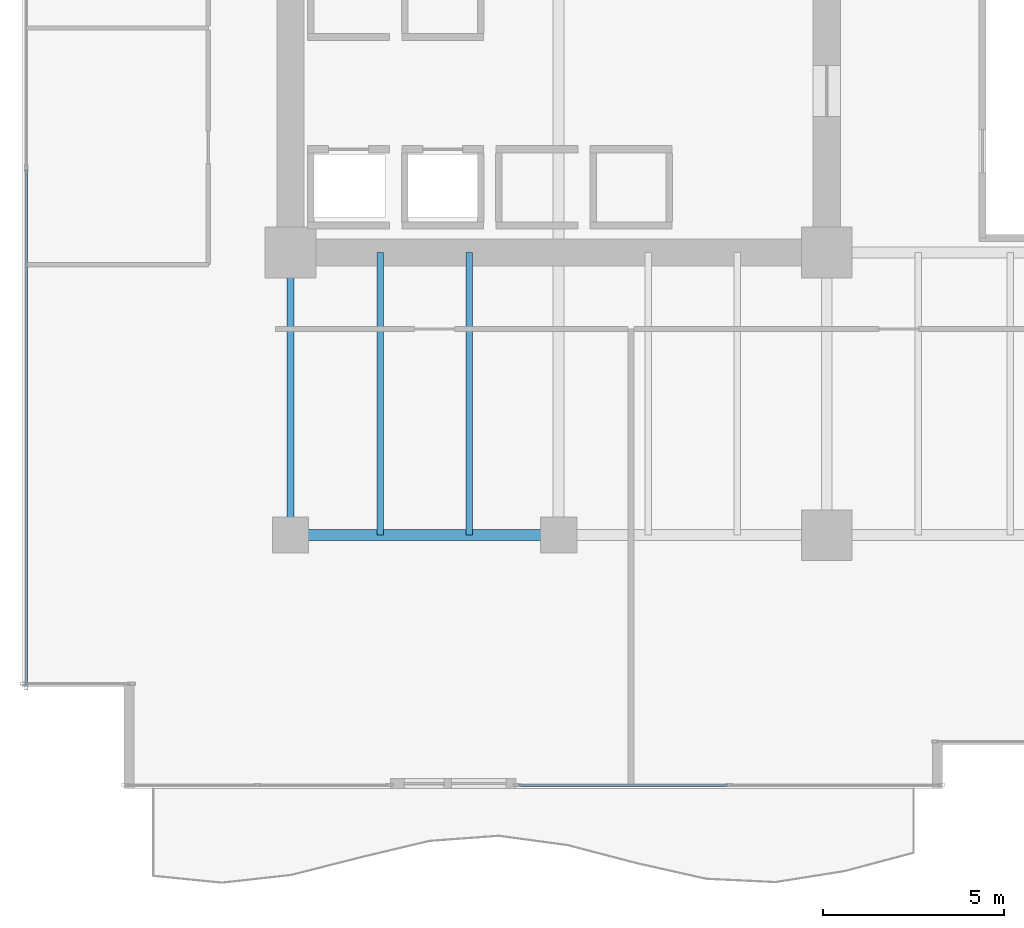
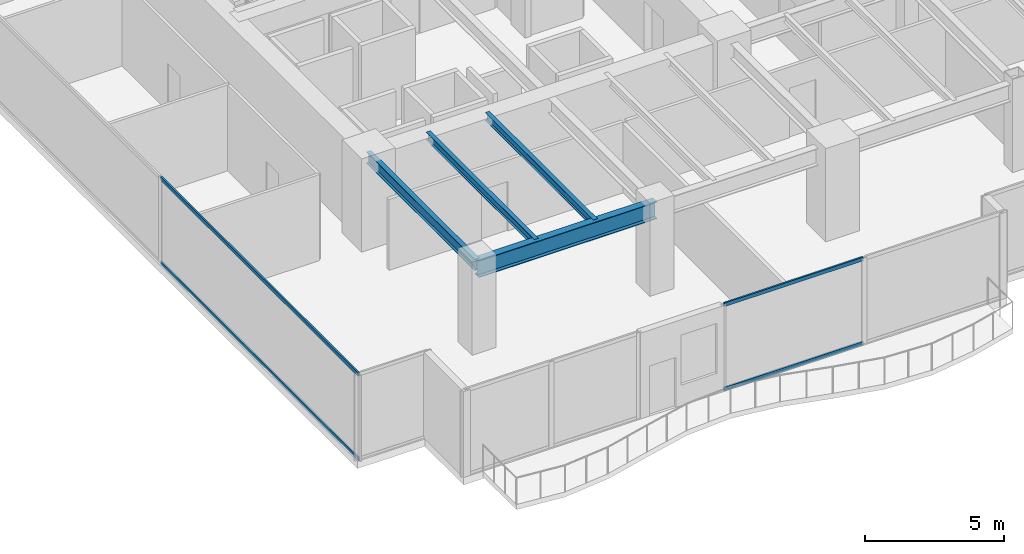
# One storey, part 3 of 31: 4 beams, 4 members, 2 elements without a shape of their own.
"""IFC4 building model written with IfcOpenShell, lengths in metres."""

from ifc_helpers import new_model, si_unit, direction, frame, origin, origin_2d, place, context, subcontext, project, spatial, hollow_rectangle, i_section, extrude, source, transform, mapped, material, layer, layer_set, material_profile, profile_set, type_object, type_shapes, element, aggregate, save


model = new_model("IFC4")

# Units and contexts
model_context = context("Model", 3, precision=1e-05, world=origin(), true_north=direction((0.0, 1.0)))
body_context = subcontext(model_context, "Body", "Model", "MODEL_VIEW")
ifc_project = project(units=[si_unit("LENGTHUNIT", "METRE"), si_unit("AREAUNIT", "SQUARE_METRE"), si_unit("VOLUMEUNIT", "CUBIC_METRE"), si_unit("PLANEANGLEUNIT", "RADIAN"), si_unit("MASSUNIT", "GRAM", prefix="KILO")], contexts=[model_context])

# Site, building, storey
site_placement = place(None, origin())
site = spatial("IfcSite", under=ifc_project, at=site_placement, CompositionType="ELEMENT")
building_placement = place(site_placement, origin())
building = spatial("IfcBuilding", under=site, at=building_placement, Name="Haelvirn Gate Laboratories", CompositionType="ELEMENT")
storey_placement = place(building_placement, frame((0.0, 0.0, 62.10009765625)))
storey = spatial("IfcBuildingStorey", under=building, at=storey_placement, Name="L15", CompositionType="ELEMENT", Elevation=62.10009765625)

# Beams
ifc_material_1 = material(Name="Steel SM355", Category="steel")
ifc_material_profile_1 = material_profile(ifc_material_1, i_section(OverallWidth=0.300048828125, OverallDepth=0.75, WebThickness=0.013916015625, FlangeThickness=0.02392578125, at=origin_2d()), Name="H-750x300x14x24")
ifc_profile_set_1 = profile_set([ifc_material_profile_1], Name="Steel SM355")
beam_type_1 = type_object("IfcBeamType", Name="BM-G-750", PredefinedType="BEAM", material=ifc_profile_set_1)
shared_shape_1 = source(origin(), body_context, "Body", "SweptSolid", [
    extrude(i_section(OverallWidth=0.300048828125, OverallDepth=0.75, WebThickness=0.013916015625, FlangeThickness=0.02392578125, at=origin_2d()), origin(), (0.0, 0.0, 1.0), 7.400146484375),
])
type_shapes(beam_type_1, [shared_shape_1])
beam_1_placement = place(storey_placement, frame((7.39990234375, 7.0, 3.40478515625), z_axis=(1.0, 0.0, 0.0), x_axis=(0.0, 1.0, 0.0)))
element("IfcBeam", 1, at=beam_1_placement, inside=storey, type_object=beam_type_1, Name="L15 Primary Girder Y7.0 (7.4-14.8)", PredefinedType="BEAM", context=body_context, shape_type="MappedRepresentation", body=[
    mapped(shared_shape_1, transform((0.0, 0.0, 0.0), scale=1.0)),
])
ifc_material_profile_2 = material_profile(ifc_material_1, i_section(OverallWidth=0.199951171875, OverallDepth=0.5, WebThickness=0.010009765625, FlangeThickness=0.01611328125, at=origin_2d()), Name="H-500x200x10x16")
ifc_profile_set_2 = profile_set([ifc_material_profile_2], Name="Steel SM355")
beam_type_2 = type_object("IfcBeamType", Name="BM-SP-500", PredefinedType="SPANDREL", material=ifc_profile_set_2)
shared_shape_2 = source(origin(), body_context, "Body", "SweptSolid", [
    extrude(i_section(OverallWidth=0.199951171875, OverallDepth=0.5, WebThickness=0.010009765625, FlangeThickness=0.01611328125, at=origin_2d()), origin(), (0.0, 0.0, 1.0), 7.800048828125),
])
type_shapes(beam_type_2, [shared_shape_2])
beam_2_placement = place(storey_placement, frame((7.39990234375, 7.0, 3.52978515625), z_axis=(0.0, 1.0, 0.0), x_axis=(-1.0, 0.0, 0.0)))
element("IfcBeam", 2, at=beam_2_placement, inside=storey, type_object=beam_type_2, Name="L15 Perimeter Spandrel X7.4 (7.0-14.8)", PredefinedType="SPANDREL", context=body_context, shape_type="MappedRepresentation", body=[
    mapped(shared_shape_2, transform((0.0, 0.0, 0.0), scale=1.0)),
])
ifc_material_profile_3 = material_profile(ifc_material_1, i_section(OverallWidth=0.175048828125, OverallDepth=0.35009765625, WebThickness=0.007080078125, FlangeThickness=0.010986328125, at=origin_2d()), Name="H-350x175x7x11")
ifc_profile_set_3 = profile_set([ifc_material_profile_3], Name="Steel SM355")
beam_type_3 = type_object("IfcBeamType", Name="BM-J-350", PredefinedType="JOIST", material=ifc_profile_set_3)
shared_shape_3 = source(origin(), body_context, "Body", "SweptSolid", [
    extrude(i_section(OverallWidth=0.175048828125, OverallDepth=0.35009765625, WebThickness=0.007080078125, FlangeThickness=0.010986328125, at=origin_2d()), origin(), (0.0, 0.0, 1.0), 7.800048828125),
])
type_shapes(beam_type_3, [shared_shape_3])
for number, where, z_axis, x_axis, name in (
    (3, (9.8701171875, 7.0, 3.60498046875), (0.0, 1.0, 0.0), (-1.0, 0.0, 0.0), "L15 Composite Lab Joist South X9.87"),
    (4, (12.330078125, 7.0, 3.60498046875), (0.0, 1.0, 0.0), (-1.0, 0.0, 0.0), "L15 Composite Lab Joist South X12.33"),
):
    element("IfcBeam", number, at=place(storey_placement, frame(where, z_axis=z_axis, x_axis=x_axis)), inside=storey, type_object=beam_type_3, Name=name, PredefinedType="JOIST", context=body_context, shape_type="MappedRepresentation", body=[
        mapped(shared_shape_3, transform((0.0, 0.0, 0.0), scale=1.0)),
    ])

# Curtain wall, members
ifc_material_2 = material(Name="Anodised bronze unitised aluminium & triple low-E glass", Category="aluminium")
ifc_layer = layer(ifc_material_2, 0.18408203125, Name="CW-SYS-2")
ifc_layer_set = layer_set([ifc_layer], Name="Anodised bronze unitised aluminium & triple low-E glass")
curtain_wall_type = type_object("IfcCurtainWallType", Name="CW-SYS-2", PredefinedType="NOTDEFINED", material=ifc_layer_set)
curtain_wall_1_placement = place(storey_placement, origin())
curtain_wall_1 = element("IfcCurtainWall", 5, at=curtain_wall_1_placement, inside=storey, type_object=curtain_wall_type, Name="L15 Unitised Curtain Wall CW-L15-P0-E17", PredefinedType="NOTDEFINED")
ifc_material_3 = material(Name="Extruded aluminium 6063-T6 (anodised bronze)", Category="aluminium")
ifc_material_profile_4 = material_profile(ifc_material_3, hollow_rectangle(XDim=0.070068359375, YDim=0.159912109375, WallThickness=0.0048828125, at=origin_2d()), Name="CWT-160x70x5")
ifc_profile_set_4 = profile_set([ifc_material_profile_4], Name="Extruded aluminium 6063-T6 (anodised bronze)")
member_type = type_object("IfcMemberType", Name="CWT-T160", PredefinedType="USERDEFINED", material=ifc_profile_set_4)
shared_shape_4 = source(origin(), body_context, "Body", "SweptSolid", [
    extrude(hollow_rectangle(XDim=0.070068359375, YDim=0.159912109375, WallThickness=0.0048828125, at=origin_2d()), origin(), (0.0, 0.0, 1.0), 14.220947265625),
])
member_1_placement = place(storey_placement, frame((0.10009765625, 17.095947265625, 0.034912109375), z_axis=(0.0, -1.0, 0.0), x_axis=(1.0, 0.0, 0.0)))
member_1 = element("IfcMember", 6, at=member_1_placement, type_object=member_type, Name="CW2 transom 3.1", ObjectType="TRANSOM", PredefinedType="USERDEFINED", context=body_context, shape_type="MappedRepresentation", body=[
    mapped(shared_shape_4, transform((0.0, 0.0, 0.0), scale=1.0)),
])
member_2_placement = place(storey_placement, frame((0.10009765625, 17.095947265625, 3.744873046875), z_axis=(0.0, -1.0, 0.0), x_axis=(1.0, 0.0, 0.0)))
member_2 = element("IfcMember", 7, at=member_2_placement, type_object=member_type, Name="CW2 transom 3.2", ObjectType="TRANSOM", PredefinedType="USERDEFINED", context=body_context, shape_type="MappedRepresentation", body=[
    mapped(shared_shape_4, transform((0.0, 0.0, 0.0), scale=1.0)),
])
aggregate(curtain_wall_1, [member_1, member_2])

curtain_wall_2_placement = place(storey_placement, origin())
curtain_wall_2 = element("IfcCurtainWall", 8, at=curtain_wall_2_placement, inside=storey, type_object=curtain_wall_type, Name="L15 Unitised Curtain Wall CW-L15-P0-E00-2", PredefinedType="NOTDEFINED")
shared_shape_5 = source(origin(), body_context, "Body", "SweptSolid", [
    extrude(hollow_rectangle(XDim=0.070068359375, YDim=0.159912109375, WallThickness=0.0048828125, at=origin_2d()), origin(), (0.0, 0.0, 1.0), 5.782470703125),
])
type_shapes(member_type, [shared_shape_4, shared_shape_5])
member_3_placement = place(storey_placement, frame((13.68505859375, 0.10009765625, 0.034912109375), z_axis=(1.0, 0.0, 0.0), x_axis=(0.0, 1.0, 0.0)))
member_3 = element("IfcMember", 9, at=member_3_placement, type_object=member_type, Name="CW2 transom 1.1", ObjectType="TRANSOM", PredefinedType="USERDEFINED", context=body_context, shape_type="MappedRepresentation", body=[
    mapped(shared_shape_5, transform((0.0, 0.0, 0.0), scale=1.0)),
])
member_4_placement = place(storey_placement, frame((13.68505859375, 0.10009765625, 3.744873046875), z_axis=(1.0, 0.0, 0.0), x_axis=(0.0, 1.0, 0.0)))
member_4 = element("IfcMember", 10, at=member_4_placement, type_object=member_type, Name="CW2 transom 1.2", ObjectType="TRANSOM", PredefinedType="USERDEFINED", context=body_context, shape_type="MappedRepresentation", body=[
    mapped(shared_shape_5, transform((0.0, 0.0, 0.0), scale=1.0)),
])
aggregate(curtain_wall_2, [member_3, member_4])

save(model, "model.ifc")
